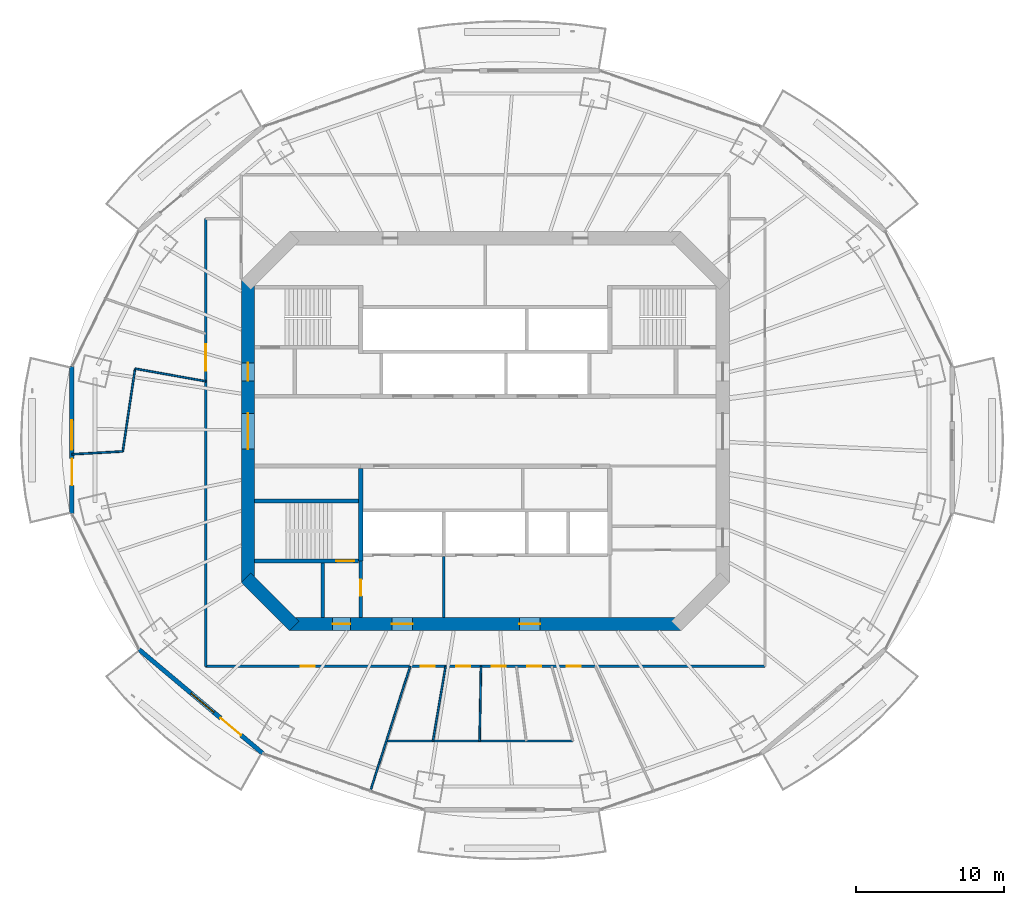
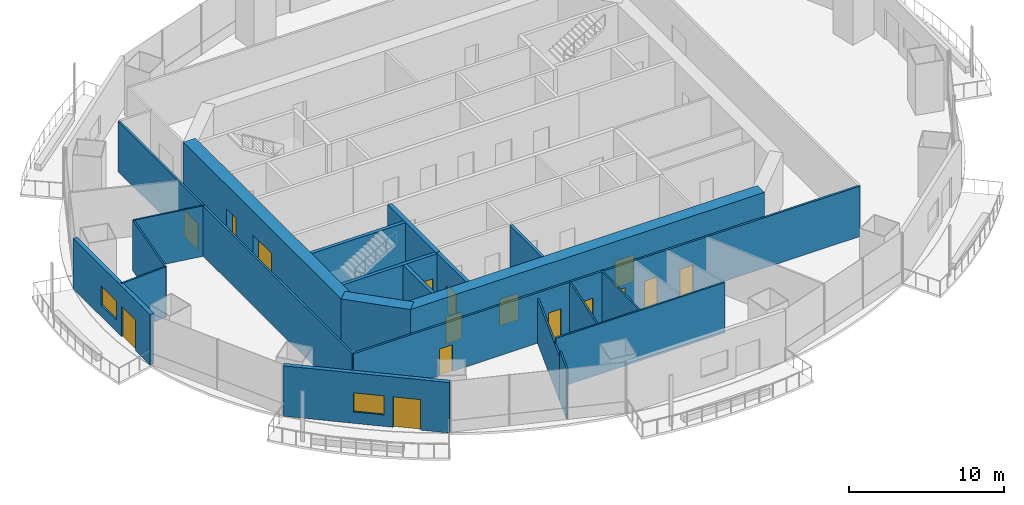
# One storey, part 10 of 19: 21 walls, 16 doors, 2 windows, 18 openings.
"""IFC4 building model written with IfcOpenShell, lengths in metres."""

import ifcopenshell
import ifcopenshell.guid

model = None  # the IFC model being written
_history = None  # IfcOwnerHistory: only IFC2X3 demands one
_inside = {}  # id of a spatial element -> (the spatial element, [elements in it])
_under = {}  # id of a project, library or spatial element -> (it, [spatial elements below it])
_declared = {}  # id of a project -> (the project, [libraries it declares])
_typed = {}  # id of a type object -> (the type object, [elements of that type])
_made_of = {}  # id of a material, layer set ... -> (it, [elements and type objects made of it])


def new_model(schema):
    """Start an empty IFC model of exactly this schema.

    Asked for "IFC4X3", IfcOpenShell would pick the latest addendum, in which some entities
    have other attributes; the version numbers below select the first issue.
    IFC2X3 requires an IfcOwnerHistory on every rooted entity: one is made here for all.
    """
    global model, _history
    if schema == "IFC4X3":
        model = ifcopenshell.file(schema_version=(4, 3, 0, 0))
    else:
        model = ifcopenshell.file(schema=schema)
    _inside.clear()
    _under.clear()
    _declared.clear()
    _typed.clear()
    _made_of.clear()
    _history = None
    if model.schema == "IFC2X3":
        org = make("IfcOrganization", Name="unknown")
        user = make(
            "IfcPersonAndOrganization",
            ThePerson=make("IfcPerson", FamilyName="unknown"),
            TheOrganization=org,
        )
        app = make(
            "IfcApplication",
            ApplicationDeveloper=org,
            Version="unknown",
            ApplicationFullName="unknown",
            ApplicationIdentifier="unknown",
        )
        _history = make(
            "IfcOwnerHistory",
            OwningUser=user,
            OwningApplication=app,
            ChangeAction="ADDED",
            CreationDate=0,
        )
    return model


def make(cls, **values):
    """One entity of the class cls with the attributes given. An attribute that is None is left unset."""
    return model.create_entity(
        cls, **{name: value for name, value in values.items() if value is not None}
    )


def rooted(cls, **values):
    """An entity with a GlobalId (a new one), such as an element, a storey or a relation."""
    return make(cls, GlobalId=ifcopenshell.guid.new(), OwnerHistory=_history, **values)


def si_unit(unit_type, name, prefix=None):
    """IfcSIUnit, for example si_unit("LENGTHUNIT", "METRE", prefix="MILLI")."""
    return make("IfcSIUnit", UnitType=unit_type, Prefix=prefix, Name=name)


def assignment(units):
    """IfcUnitAssignment: the units of a project."""
    return None if units is None else make("IfcUnitAssignment", Units=units)


def point(xyz):
    """IfcCartesianPoint."""
    return None if xyz is None else make("IfcCartesianPoint", Coordinates=xyz)


def direction(xyz):
    """IfcDirection."""
    return None if xyz is None else make("IfcDirection", DirectionRatios=xyz)


def frame(location, z_axis=None, x_axis=None):
    """IfcAxis2Placement3D, a coordinate frame: its origin and axes. An axis left out is left unset."""
    return make(
        "IfcAxis2Placement3D",
        Location=point(location),
        Axis=direction(z_axis),
        RefDirection=direction(x_axis),
    )


def frame_2d(location, x_axis=None):
    """IfcAxis2Placement2D, a coordinate frame in the plane: its origin and x axis."""
    return make(
        "IfcAxis2Placement2D", Location=point(location), RefDirection=direction(x_axis)
    )


def origin():
    """The frame at (0, 0, 0) with its axes left unset."""
    return frame((0.0, 0.0, 0.0))


def place(relative_to, where):
    """IfcLocalPlacement: puts the frame where relative to a parent placement (None: the world)."""
    return make(
        "IfcLocalPlacement", PlacementRelTo=relative_to, RelativePlacement=where
    )


def context(
    kind, dimensions, precision=None, world=None, true_north=None, identifier=None
):
    """IfcGeometricRepresentationContext, for example the 3D "Model" context."""
    return make(
        "IfcGeometricRepresentationContext",
        ContextIdentifier=identifier,
        ContextType=kind,
        CoordinateSpaceDimension=dimensions,
        Precision=precision,
        WorldCoordinateSystem=world,
        TrueNorth=true_north,
    )


def subcontext(parent, identifier, kind, view, scale=None):
    """IfcGeometricRepresentationSubContext, for example "Body" below "Model"."""
    return make(
        "IfcGeometricRepresentationSubContext",
        ContextIdentifier=identifier,
        ContextType=kind,
        ParentContext=parent,
        TargetScale=scale,
        TargetView=view,
    )


def project(units=None, contexts=None):
    """IfcProject with its units and contexts."""
    return rooted(
        "IfcProject",
        Name="project",
        RepresentationContexts=contexts,
        UnitsInContext=assignment(units),
    )


def spatial(cls, under=None, at=None, **own):
    """A site, building, storey or space (cls), placed at a placement, below another one or the project."""
    s = rooted(cls, ObjectPlacement=at, **own)
    if under is not None:
        _under.setdefault(under.id(), (under, []))[1].append(s)
    return s


def profile(cls, at=None, kind="AREA", **sizes):
    """A parametric profile (cls). Its sizes go by their IFC names, for example OverallWidth=200.0."""
    return make(cls, ProfileType=kind, Position=at, **sizes)


def rectangle(**sizes):
    """IfcRectangleProfileDef."""
    return profile("IfcRectangleProfileDef", **sizes)


def extrude(swept, where, along, depth):
    """IfcExtrudedAreaSolid: the profile swept, set in the frame where, extruded along a direction by depth."""
    return make(
        "IfcExtrudedAreaSolid",
        SweptArea=swept,
        Position=where,
        ExtrudedDirection=direction(along),
        Depth=depth,
    )


def shape(context_of_items, identifier, shape_type, items):
    """IfcShapeRepresentation: the items that make up one representation, for example the "Body"."""
    return make(
        "IfcShapeRepresentation",
        ContextOfItems=context_of_items,
        RepresentationIdentifier=identifier,
        RepresentationType=shape_type,
        Items=items,
    )


def material(Name=None, Category=None):
    """IfcMaterial."""
    return make("IfcMaterial", Name=Name, Category=Category)


def layer(
    of_material, thickness, ventilated=None, Name=None, Category=None, Priority=None
):
    """IfcMaterialLayer: one layer of a wall or slab, of a material (None: an air gap)."""
    return make(
        "IfcMaterialLayer",
        Material=of_material,
        LayerThickness=thickness,
        IsVentilated=ventilated,
        Name=Name,
        Category=Category,
        Priority=Priority,
    )


def layer_set(layers, Name=None):
    """IfcMaterialLayerSet."""
    return make("IfcMaterialLayerSet", MaterialLayers=layers, LayerSetName=Name)


def made_of(thing, what):
    """Note that an element or type object is made of a material, layer set ...; save() writes the relation."""
    if what is not None:
        _made_of.setdefault(what.id(), (what, []))[1].append(thing)
    return thing


def type_object(cls, material=None, **own):
    """A type object (cls), such as IfcWallType, which elements share."""
    return made_of(rooted(cls, **own), material)


def element(
    cls,
    number,
    at=None,
    inside=None,
    cuts=None,
    type_object=None,
    material=None,
    context=None,
    identifier="Body",
    shape_type=None,
    held_by="IfcProductDefinitionShape",
    body=None,
    shapes=None,
    **own,
):
    """One element of the class cls, such as IfcWall. Its Tag is "e" and its number.

    at: its placement. inside: the storey or other place that contains it. cuts: it is an
    opening in that element (IfcRelVoidsElement). A single representation is given by context,
    identifier, shape_type and body (its items); several are given by shapes. held_by: the class
    of the entity that holds the representations. save() writes the other relations.
    """
    e = rooted(cls, Tag="e%d" % number, ObjectPlacement=at, **own)
    if body is not None:
        shapes = [shape(context, identifier, shape_type, body)]
    if shapes is not None:
        e.Representation = make(held_by, Representations=shapes)
    if inside is not None:
        _inside.setdefault(inside.id(), (inside, []))[1].append(e)
    if cuts is not None:
        rooted(
            "IfcRelVoidsElement", RelatingBuildingElement=cuts, RelatedOpeningElement=e
        )
    if type_object is not None:
        _typed.setdefault(type_object.id(), (type_object, []))[1].append(e)
    return made_of(e, material)


def fill(opening, filler):
    """IfcRelFillsElement: the door or window that sits in an opening."""
    return rooted(
        "IfcRelFillsElement",
        RelatingOpeningElement=opening,
        RelatedBuildingElement=filler,
    )


def aggregate(whole, parts):
    """IfcRelAggregates: a whole, such as a stair, and the parts it consists of."""
    return rooted("IfcRelAggregates", RelatingObject=whole, RelatedObjects=parts)


def save(model, path):
    """Write the relations noted so far, then the file.

    IfcRelAggregates (storeys below a building ...), IfcRelContainedInSpatialStructure (elements
    in a storey), IfcRelDefinesByType, IfcRelAssociatesMaterial and IfcRelDeclares: one each for
    every whole, place, type object, material and project.
    """
    for whole, parts in _under.values():
        aggregate(whole, parts)
    for where, things in _inside.values():
        rooted(
            "IfcRelContainedInSpatialStructure",
            RelatedElements=things,
            RelatingStructure=where,
        )
    for kind, things in _typed.values():
        rooted("IfcRelDefinesByType", RelatedObjects=things, RelatingType=kind)
    for what, things in _made_of.values():
        rooted("IfcRelAssociatesMaterial", RelatedObjects=things, RelatingMaterial=what)
    for by, libraries in _declared.values():
        rooted("IfcRelDeclares", RelatingContext=by, RelatedDefinitions=libraries)
    model.write(path)


model = new_model("IFC4")

# Units and contexts
model_context = context("Model", 3, precision=1e-05, world=origin(), true_north=direction((0.0, 1.0)))
body_context = subcontext(model_context, "Body", "Model", "MODEL_VIEW")
ifc_project = project(units=[si_unit("LENGTHUNIT", "METRE"), si_unit("AREAUNIT", "SQUARE_METRE"), si_unit("VOLUMEUNIT", "CUBIC_METRE"), si_unit("PLANEANGLEUNIT", "RADIAN"), si_unit("MASSUNIT", "GRAM", prefix="KILO")], contexts=[model_context])

# Site, building, storey
site_placement = place(None, origin())
site = spatial("IfcSite", under=ifc_project, at=site_placement, CompositionType="ELEMENT")
building_placement = place(site_placement, origin())
building = spatial("IfcBuilding", under=site, at=building_placement, Name="Marenthal Gate Tower", CompositionType="ELEMENT")
storey_placement = place(building_placement, frame((0.0, 0.0, 244.050048828125)))
storey = spatial("IfcBuildingStorey", under=building, at=storey_placement, Name="L54", CompositionType="ELEMENT", Elevation=244.050048828125)

# Wall, openings, doors
ifc_material_1 = material(Name="Concrete 60 MPa", Category="concrete")
ifc_layer_1 = layer(ifc_material_1, 0.89990234375)
ifc_layer_set_1 = layer_set([ifc_layer_1], Name="Core shear wall 900")
wall_type_1 = type_object("IfcWallType", Name="Core shear wall 900", PredefinedType="SHEAR", material=ifc_layer_set_1)
wall_1_placement = place(storey_placement, frame((-16.0, 10.186279296875, -0.179931640625), z_axis=(0.0, 0.0, 1.0), x_axis=(0.0, -1.0, 0.0)))
wall_1 = element("IfcWall", 1, at=wall_1_placement, inside=storey, type_object=wall_type_1, Name="Core wall 06", PredefinedType="SHEAR", context=body_context, shape_type="SweptSolid", body=[
    extrude(rectangle(XDim=20.37255859375, YDim=0.89990234375, at=frame_2d((10.186279296875, 0.0))), origin(), (0.0, 0.0, 1.0), 4.14990234375),
])
opening_1_placement = place(wall_1_placement, frame((8.986328125, 0.0, 0.179931640625)))
opening_1 = element("IfcOpeningElement", 2, at=opening_1_placement, cuts=wall_1, Name="Opening D003.01", PredefinedType="OPENING", context=body_context, shape_type="SweptSolid", body=[
    extrude(rectangle(XDim=2.39990234375, YDim=2.10009765625, at=frame_2d((1.199951171875, 1.050048828125))), frame((0.0, 0.4599609375, 0.0), z_axis=(0.0, -1.0, 0.0), x_axis=(1.0, 0.0, 0.0)), (0.0, 0.0, 1.0), 0.919921875),
])
opening_2_placement = place(wall_1_placement, frame((5.58642578125, 0.0, 0.179931640625)))
opening_2 = element("IfcOpeningElement", 3, at=opening_2_placement, cuts=wall_1, Name="Opening D001.04", PredefinedType="OPENING", context=body_context, shape_type="SweptSolid", body=[
    extrude(rectangle(XDim=1.199951171875, YDim=2.10009765625, at=frame_2d((0.60009765625, 1.050048828125))), frame((0.0, 0.4599609375, 0.0), z_axis=(0.0, -1.0, 0.0), x_axis=(1.0, 0.0, 0.0)), (0.0, 0.0, 1.0), 0.919921875),
])
ifc_material_2 = material(Name="Steel fire door", Category="steel")
door_type_1 = type_object("IfcDoorType", Name="Double fire door FD 45 2400 x 2100", OperationType="DOUBLE_DOOR_SINGLE_SWING", PredefinedType="DOOR", material=ifc_material_2)
door_1_placement = place(opening_1_placement, origin())
door_1 = element("IfcDoor", 4, at=door_1_placement, inside=storey, type_object=door_type_1, Name="Door D003.01", OperationType="DOUBLE_DOOR_SINGLE_SWING", OverallHeight=2.10009765625, OverallWidth=2.39990234375, PredefinedType="DOOR", context=body_context, shape_type="SweptSolid", body=[
    extrude(rectangle(XDim=2.39990234375, YDim=2.10009765625, at=frame_2d((1.199951171875, 1.050048828125))), frame((0.0, 0.02490234375, 0.0), z_axis=(0.0, -1.0, 0.0), x_axis=(1.0, 0.0, 0.0)), (0.0, 0.0, 1.0), 0.050048828125),
])
fill(opening_1, door_1)
ifc_material_3 = material(Name="Steel fire door", Category="steel")
door_type_2 = type_object("IfcDoorType", Name="Fire door FD 90 1200 x 2100", OperationType="NOTDEFINED", PredefinedType="DOOR", material=ifc_material_3)
door_2_placement = place(opening_2_placement, origin())
door_2 = element("IfcDoor", 5, at=door_2_placement, inside=storey, type_object=door_type_2, Name="Door D001.04", OperationType="SINGLE_SWING_RIGHT", OverallHeight=2.10009765625, OverallWidth=1.199951171875, PredefinedType="DOOR", context=body_context, shape_type="SweptSolid", body=[
    extrude(rectangle(XDim=1.199951171875, YDim=2.10009765625, at=frame_2d((0.60009765625, 1.050048828125))), frame((0.0, 0.02490234375, 0.0), z_axis=(0.0, -1.0, 0.0), x_axis=(1.0, 0.0, 0.0)), (0.0, 0.0, 1.0), 0.050048828125),
])
fill(opening_2, door_2)

# Wall
wall_2_placement = place(storey_placement, frame((-16.1318359375, -9.8681640625, -0.179931640625), z_axis=(0.0, 0.0, 1.0), x_axis=(0.707106781187, -0.707106781187, 0.0)))
element("IfcWall", 6, at=wall_2_placement, inside=storey, type_object=wall_type_1, Name="Core wall 07", PredefinedType="SHEAR", context=body_context, shape_type="SweptSolid", body=[
    extrude(rectangle(XDim=4.615478515625, YDim=0.89990234375, at=frame_2d((2.3076171875, 0.0))), origin(), (0.0, 0.0, 1.0), 4.14990234375),
])

# Wall, openings, doors
wall_3_placement = place(storey_placement, frame((-13.186279296875, -13.0, -0.179931640625), z_axis=(0.0, 0.0, 1.0), x_axis=(1.0, 0.0, 0.0)))
wall_3 = element("IfcWall", 7, at=wall_3_placement, inside=storey, type_object=wall_type_1, Name="Core wall 08", PredefinedType="SHEAR", context=body_context, shape_type="SweptSolid", body=[
    extrude(rectangle(XDim=26.37255859375, YDim=0.89990234375, at=frame_2d((13.186279296875, 0.0))), origin(), (0.0, 0.0, 1.0), 4.14990234375),
])
opening_3_placement = place(wall_3_placement, frame((2.886474609375, 0.0, 0.179931640625)))
opening_3 = element("IfcOpeningElement", 8, at=opening_3_placement, cuts=wall_3, Name="Opening D001.06", PredefinedType="OPENING", context=body_context, shape_type="SweptSolid", body=[
    extrude(rectangle(XDim=1.199951171875, YDim=2.10009765625, at=frame_2d((0.60009765625, 1.050048828125))), frame((0.0, 0.4599609375, 0.0), z_axis=(0.0, -1.0, 0.0), x_axis=(1.0, 0.0, 0.0)), (0.0, 0.0, 1.0), 0.919921875),
])
opening_4_placement = place(wall_3_placement, frame((6.886474609375, 0.0, 0.179931640625)))
opening_4 = element("IfcOpeningElement", 9, at=opening_4_placement, cuts=wall_3, Name="Opening D004.01", PredefinedType="OPENING", context=body_context, shape_type="SweptSolid", body=[
    extrude(rectangle(XDim=1.39990234375, YDim=2.10009765625, at=frame_2d((0.699951171875, 1.050048828125))), frame((0.0, 0.4599609375, 0.0), z_axis=(0.0, -1.0, 0.0), x_axis=(1.0, 0.0, 0.0)), (0.0, 0.0, 1.0), 0.919921875),
])
opening_5_placement = place(wall_3_placement, frame((15.486328125, 0.0, 0.179931640625)))
opening_5 = element("IfcOpeningElement", 10, at=opening_5_placement, cuts=wall_3, Name="Opening D004.02", PredefinedType="OPENING", context=body_context, shape_type="SweptSolid", body=[
    extrude(rectangle(XDim=1.39990234375, YDim=2.10009765625, at=frame_2d((0.699951171875, 1.050048828125))), frame((0.0, 0.4599609375, 0.0), z_axis=(0.0, -1.0, 0.0), x_axis=(1.0, 0.0, 0.0)), (0.0, 0.0, 1.0), 0.919921875),
])
ifc_material_4 = material(Name="Steel fire door", Category="steel")
door_type_3 = type_object("IfcDoorType", Name="Fire door FD 45 1400 x 2100", OperationType="NOTDEFINED", PredefinedType="DOOR", material=ifc_material_4)
door_3_placement = place(opening_4_placement, origin())
door_3 = element("IfcDoor", 11, at=door_3_placement, inside=storey, type_object=door_type_3, Name="Door D004.01", OperationType="SINGLE_SWING_RIGHT", OverallHeight=2.10009765625, OverallWidth=1.39990234375, PredefinedType="DOOR", context=body_context, shape_type="SweptSolid", body=[
    extrude(rectangle(XDim=1.39990234375, YDim=2.10009765625, at=frame_2d((0.699951171875, 1.050048828125))), frame((0.0, 0.02490234375, 0.0), z_axis=(0.0, -1.0, 0.0), x_axis=(1.0, 0.0, 0.0)), (0.0, 0.0, 1.0), 0.050048828125),
])
fill(opening_4, door_3)
door_4_placement = place(opening_5_placement, origin())
door_4 = element("IfcDoor", 12, at=door_4_placement, inside=storey, type_object=door_type_3, Name="Door D004.02", OperationType="SINGLE_SWING_RIGHT", OverallHeight=2.10009765625, OverallWidth=1.39990234375, PredefinedType="DOOR", context=body_context, shape_type="SweptSolid", body=[
    extrude(rectangle(XDim=1.39990234375, YDim=2.10009765625, at=frame_2d((0.699951171875, 1.050048828125))), frame((0.0, 0.02490234375, 0.0), z_axis=(0.0, -1.0, 0.0), x_axis=(1.0, 0.0, 0.0)), (0.0, 0.0, 1.0), 0.050048828125),
])
fill(opening_5, door_4)
door_5_placement = place(opening_3_placement, origin())
door_5 = element("IfcDoor", 13, at=door_5_placement, inside=storey, type_object=door_type_2, Name="Door D001.06", OperationType="SINGLE_SWING_RIGHT", OverallHeight=2.10009765625, OverallWidth=1.199951171875, PredefinedType="DOOR", context=body_context, shape_type="SweptSolid", body=[
    extrude(rectangle(XDim=1.199951171875, YDim=2.10009765625, at=frame_2d((0.60009765625, 1.050048828125))), frame((0.0, 0.02490234375, 0.0), z_axis=(0.0, -1.0, 0.0), x_axis=(1.0, 0.0, 0.0)), (0.0, 0.0, 1.0), 0.050048828125),
])
fill(opening_3, door_5)

# Walls
ifc_material_5 = material(Name="Gypsum board on steel studs", Category="steel")
ifc_layer_2 = layer(ifc_material_5, 0.199951171875)
ifc_layer_set_2 = layer_set([ifc_layer_2], Name="Fire lobby wall 200")
wall_type_2 = type_object("IfcWallType", Name="Fire lobby wall 200", PredefinedType="PARTITIONING", material=ifc_layer_set_2)
wall_4_placement = place(storey_placement, frame((-2.800048828125, -12.550048828125, 0.0), z_axis=(0.0, 0.0, 1.0), x_axis=(0.0, 1.0, 0.0)))
element("IfcWall", 14, at=wall_4_placement, inside=storey, type_object=wall_type_2, Name="Fire wall 35", PredefinedType="PARTITIONING", context=body_context, shape_type="SweptSolid", body=[
    extrude(rectangle(XDim=4.090087890625, YDim=0.199951171875, at=frame_2d((2.044921875, 0.0))), origin(), (0.0, 0.0, 1.0), 3.969970703125),
])
ifc_material_6 = material(Name="Concrete 50 MPa", Category="concrete")
ifc_layer_3 = layer(ifc_material_6, 0.300048828125)
ifc_layer_set_3 = layer_set([ifc_layer_3], Name="Hoistway shear wall 300")
wall_type_3 = type_object("IfcWallType", Name="Hoistway shear wall 300", PredefinedType="SHEAR", material=ifc_layer_set_3)
wall_5_placement = place(storey_placement, frame((-8.39990234375, -8.75, -0.179931640625), z_axis=(0.0, 0.0, 1.0), x_axis=(0.0, 1.0, 0.0)))
element("IfcWall", 15, at=wall_5_placement, inside=storey, type_object=wall_type_3, Name="Hoistway wall 31", PredefinedType="SHEAR", context=body_context, shape_type="SweptSolid", body=[
    extrude(rectangle(XDim=6.25, YDim=0.300048828125, at=frame_2d((3.125, 0.0))), origin(), (0.0, 0.0, 1.0), 4.14990234375),
])
ifc_material_7 = material(Name="Gypsum board on steel studs", Category="steel")
ifc_layer_4 = layer(ifc_material_7, 0.1201171875)
ifc_layer_set_4 = layer_set([ifc_layer_4], Name="Partition 120")
wall_type_4 = type_object("IfcWallType", Name="Partition 120", PredefinedType="PARTITIONING", material=ifc_layer_set_4)
wall_6_placement = place(storey_placement, frame((-24.438720703125, -1.364013671875, 0.0), z_axis=(0.0, 0.0, 1.0), x_axis=(-0.998446307291, -0.055722270749, 0.0)))
element("IfcWall", 16, at=wall_6_placement, inside=storey, type_object=wall_type_4, Name="Partition wall 49", PredefinedType="PARTITIONING", context=body_context, shape_type="SweptSolid", body=[
    extrude(rectangle(XDim=3.4306640625, YDim=0.1201171875, at=frame_2d((1.71533203125, 0.0))), origin(), (0.0, 0.0, 1.0), 3.969970703125),
])
wall_7_placement = place(storey_placement, frame((-23.607666015625, 4.216552734375, 0.0), z_axis=(0.0, 0.0, 1.0), x_axis=(-0.14729509075, -0.98909259235, 0.0)))
element("IfcWall", 17, at=wall_7_placement, inside=storey, type_object=wall_type_4, Name="Partition wall 50", PredefinedType="PARTITIONING", context=body_context, shape_type="SweptSolid", body=[
    extrude(rectangle(XDim=5.64208984375, YDim=0.1201171875, at=frame_2d((2.821044921875, 0.0))), origin(), (0.0, 0.0, 1.0), 3.969970703125),
])
wall_8_placement = place(storey_placement, frame((-23.607666015625, 4.216552734375, 0.0), z_axis=(0.0, 0.0, 1.0), x_axis=(0.984417270676, -0.175848335774, 0.0)))
element("IfcWall", 18, at=wall_8_placement, inside=storey, type_object=wall_type_4, Name="Partition wall 51", PredefinedType="PARTITIONING", context=body_context, shape_type="SweptSolid", body=[
    extrude(rectangle(XDim=4.832763671875, YDim=0.1201171875, at=frame_2d((2.41650390625, 0.0))), origin(), (0.0, 0.0, 1.0), 3.969970703125),
])
wall_9_placement = place(storey_placement, frame((-6.671630859375, -20.88623046875, 0.0), z_axis=(0.0, 0.0, 1.0), x_axis=(1.0, 0.0, 0.0)))
element("IfcWall", 19, at=wall_9_placement, inside=storey, type_object=wall_type_4, Name="Partition wall 57", PredefinedType="PARTITIONING", context=body_context, shape_type="SweptSolid", body=[
    extrude(rectangle(XDim=12.576416015625, YDim=0.1201171875, at=frame_2d((6.2880859375, 0.0))), origin(), (0.0, 0.0, 1.0), 3.969970703125),
])
wall_10_placement = place(storey_placement, frame((-5.06298828125, -15.85009765625, 0.0), z_axis=(0.0, 0.0, 1.0), x_axis=(-0.304288835674, -0.952579815283, 0.0)))
element("IfcWall", 20, at=wall_10_placement, inside=storey, type_object=wall_type_4, Name="Partition wall 58", PredefinedType="PARTITIONING", context=body_context, shape_type="SweptSolid", body=[
    extrude(rectangle(XDim=6.786865234375, YDim=0.1201171875, at=frame_2d((3.3935546875, 0.0))), origin(), (0.0, 0.0, 1.0), 3.5029296875),
])
wall_11_placement = place(storey_placement, frame((-7.128173828125, -22.315185546875, 0.0), z_axis=(0.0, 0.0, 1.0), x_axis=(-0.304263718902, -0.952587838133, 0.0)))
element("IfcWall", 21, at=wall_11_placement, inside=storey, type_object=wall_type_4, Name="Partition wall 68", PredefinedType="PARTITIONING", context=body_context, shape_type="SweptSolid", body=[
    extrude(rectangle(XDim=2.0244140625, YDim=0.1201171875, at=frame_2d((1.01220703125, 0.0))), origin(), (0.0, 0.0, 1.0), 3.969970703125),
])
wall_12_placement = place(storey_placement, frame((-3.527587890625, -20.88623046875, 0.0), z_axis=(0.0, 0.0, 1.0), x_axis=(0.166538009688, 0.986035035548, 0.0)))
element("IfcWall", 22, at=wall_12_placement, inside=storey, type_object=wall_type_4, Name="Partition wall 59", PredefinedType="PARTITIONING", context=body_context, shape_type="SweptSolid", body=[
    extrude(rectangle(XDim=5.107421875, YDim=0.1201171875, at=frame_2d((2.5537109375, 0.0))), origin(), (0.0, 0.0, 1.0), 3.969970703125),
])
wall_13_placement = place(storey_placement, frame((-0.383544921875, -20.88623046875, 0.0), z_axis=(0.0, 0.0, 1.0), x_axis=(0.018369984808, 0.999831257592, 0.0)))
element("IfcWall", 23, at=wall_13_placement, inside=storey, type_object=wall_type_4, Name="Partition wall 60", PredefinedType="PARTITIONING", context=body_context, shape_type="SweptSolid", body=[
    extrude(rectangle(XDim=5.036865234375, YDim=0.1201171875, at=frame_2d((2.5185546875, 0.0))), origin(), (0.0, 0.0, 1.0), 3.969970703125),
])

# Wall, opening, door
ifc_material_8 = material(Name="Gypsum board on steel studs", Category="steel")
ifc_layer_5 = layer(ifc_material_8, 0.14990234375)
ifc_layer_set_5 = layer_set([ifc_layer_5], Name="Partition 150")
wall_type_5 = type_object("IfcWallType", Name="Partition 150", PredefinedType="PARTITIONING", material=ifc_layer_set_5)
wall_14_placement = place(storey_placement, frame((-18.85009765625, -15.85009765625, 0.0), z_axis=(0.0, 0.0, 1.0), x_axis=(0.0, 1.0, 0.0)))
wall_14 = element("IfcWall", 24, at=wall_14_placement, inside=storey, type_object=wall_type_5, Name="Partition wall 52", PredefinedType="PARTITIONING", context=body_context, shape_type="SweptSolid", body=[
    extrude(rectangle(XDim=30.176025390625, YDim=0.14990234375, at=frame_2d((15.087890625, 0.0))), origin(), (0.0, 0.0, 1.0), 3.969970703125),
])
opening_6_placement = place(wall_14_placement, frame((19.9208984375, 0.0, 0.0)))
opening_6 = element("IfcOpeningElement", 25, at=opening_6_placement, cuts=wall_14, Name="Opening D014.01", PredefinedType="OPENING", context=body_context, shape_type="SweptSolid", body=[
    extrude(rectangle(XDim=1.800048828125, YDim=2.10009765625, at=frame_2d((0.89990234375, 1.050048828125))), frame((0.0, 0.0849609375, 0.0), z_axis=(0.0, -1.0, 0.0), x_axis=(1.0, 0.0, 0.0)), (0.0, 0.0, 1.0), 0.169921875),
])
ifc_material_9 = material(Name="Timber door", Category="wood")
door_type_4 = type_object("IfcDoorType", Name="Double door 1800 x 2100", OperationType="DOUBLE_DOOR_SINGLE_SWING", PredefinedType="DOOR", material=ifc_material_9)
door_6_placement = place(opening_6_placement, origin())
door_6 = element("IfcDoor", 26, at=door_6_placement, inside=storey, type_object=door_type_4, Name="Door D014.01", OperationType="DOUBLE_DOOR_SINGLE_SWING", OverallHeight=2.10009765625, OverallWidth=1.800048828125, PredefinedType="DOOR", context=body_context, shape_type="SweptSolid", body=[
    extrude(rectangle(XDim=1.800048828125, YDim=2.10009765625, at=frame_2d((0.89990234375, 1.050048828125))), frame((0.0, 0.02490234375, 0.0), z_axis=(0.0, -1.0, 0.0), x_axis=(1.0, 0.0, 0.0)), (0.0, 0.0, 1.0), 0.050048828125),
])
fill(opening_6, door_6)

# Wall, openings, doors
wall_15_placement = place(storey_placement, frame((18.85009765625, -15.85009765625, 0.0), z_axis=(0.0, 0.0, 1.0), x_axis=(-1.0, 0.0, 0.0)))
wall_15 = element("IfcWall", 27, at=wall_15_placement, inside=storey, type_object=wall_type_5, Name="Partition wall 66", PredefinedType="PARTITIONING", context=body_context, shape_type="SweptSolid", body=[
    extrude(rectangle(XDim=37.7001953125, YDim=0.14990234375, at=frame_2d((18.85009765625, 0.0))), origin(), (0.0, 0.0, 1.0), 3.969970703125),
])
opening_7_placement = place(wall_15_placement, frame((30.33203125, 0.0, 0.0)))
opening_7 = element("IfcOpeningElement", 28, at=opening_7_placement, cuts=wall_15, Name="Opening D016.01", PredefinedType="OPENING", context=body_context, shape_type="SweptSolid", body=[
    extrude(rectangle(XDim=0.949951171875, YDim=2.10009765625, at=frame_2d((0.47509765625, 1.050048828125))), frame((0.0, 0.0849609375, 0.0), z_axis=(0.0, -1.0, 0.0), x_axis=(1.0, 0.0, 0.0)), (0.0, 0.0, 1.0), 0.169921875),
])
opening_8_placement = place(wall_15_placement, frame((22.2451171875, 0.0, 0.0)))
opening_8 = element("IfcOpeningElement", 29, at=opening_8_placement, cuts=wall_15, Name="Opening D016.02", PredefinedType="OPENING", context=body_context, shape_type="SweptSolid", body=[
    extrude(rectangle(XDim=0.949951171875, YDim=2.10009765625, at=frame_2d((0.47509765625, 1.050048828125))), frame((0.0, 0.0849609375, 0.0), z_axis=(0.0, -1.0, 0.0), x_axis=(1.0, 0.0, 0.0)), (0.0, 0.0, 1.0), 0.169921875),
])
opening_9_placement = place(wall_15_placement, frame((19.85888671875, 0.0, 0.0)))
opening_9 = element("IfcOpeningElement", 30, at=opening_9_placement, cuts=wall_15, Name="Opening D016.03", PredefinedType="OPENING", context=body_context, shape_type="SweptSolid", body=[
    extrude(rectangle(XDim=0.949951171875, YDim=2.10009765625, at=frame_2d((0.47509765625, 1.050048828125))), frame((0.0, 0.0849609375, 0.0), z_axis=(0.0, -1.0, 0.0), x_axis=(1.0, 0.0, 0.0)), (0.0, 0.0, 1.0), 0.169921875),
])
opening_10_placement = place(wall_15_placement, frame((17.472900390625, 0.0, 0.0)))
opening_10 = element("IfcOpeningElement", 31, at=opening_10_placement, cuts=wall_15, Name="Opening D016.04", PredefinedType="OPENING", context=body_context, shape_type="SweptSolid", body=[
    extrude(rectangle(XDim=0.949951171875, YDim=2.10009765625, at=frame_2d((0.47509765625, 1.050048828125))), frame((0.0, 0.0849609375, 0.0), z_axis=(0.0, -1.0, 0.0), x_axis=(1.0, 0.0, 0.0)), (0.0, 0.0, 1.0), 0.169921875),
])
opening_11_placement = place(wall_15_placement, frame((15.0869140625, 0.0, 0.0)))
opening_11 = element("IfcOpeningElement", 32, at=opening_11_placement, cuts=wall_15, Name="Opening D016.05", PredefinedType="OPENING", context=body_context, shape_type="SweptSolid", body=[
    extrude(rectangle(XDim=0.949951171875, YDim=2.10009765625, at=frame_2d((0.47509765625, 1.050048828125))), frame((0.0, 0.0849609375, 0.0), z_axis=(0.0, -1.0, 0.0), x_axis=(1.0, 0.0, 0.0)), (0.0, 0.0, 1.0), 0.169921875),
])
opening_12_placement = place(wall_15_placement, frame((12.426025390625, 0.0, 0.0)))
opening_12 = element("IfcOpeningElement", 33, at=opening_12_placement, cuts=wall_15, Name="Opening D016.06", PredefinedType="OPENING", context=body_context, shape_type="SweptSolid", body=[
    extrude(rectangle(XDim=0.949951171875, YDim=2.10009765625, at=frame_2d((0.47509765625, 1.050048828125))), frame((0.0, 0.0849609375, 0.0), z_axis=(0.0, -1.0, 0.0), x_axis=(1.0, 0.0, 0.0)), (0.0, 0.0, 1.0), 0.169921875),
])
ifc_material_10 = material(Name="Timber door", Category="wood")
door_type_5 = type_object("IfcDoorType", Name="Door 950 x 2100", OperationType="NOTDEFINED", PredefinedType="DOOR", material=ifc_material_10)
door_7_placement = place(opening_7_placement, frame((0.949951171875, 0.0, 0.0), z_axis=(0.0, 0.0, 1.0), x_axis=(-1.0, 0.0, 0.0)))
door_7 = element("IfcDoor", 34, at=door_7_placement, inside=storey, type_object=door_type_5, Name="Door D016.01", OperationType="SINGLE_SWING_LEFT", OverallHeight=2.10009765625, OverallWidth=0.949951171875, PredefinedType="DOOR", context=body_context, shape_type="SweptSolid", body=[
    extrude(rectangle(XDim=0.949951171875, YDim=2.10009765625, at=frame_2d((0.47509765625, 1.050048828125))), frame((0.0, 0.02490234375, 0.0), z_axis=(0.0, -1.0, 0.0), x_axis=(1.0, 0.0, 0.0)), (0.0, 0.0, 1.0), 0.050048828125),
])
fill(opening_7, door_7)
door_8_placement = place(opening_8_placement, origin())
door_8 = element("IfcDoor", 35, at=door_8_placement, inside=storey, type_object=door_type_5, Name="Door D016.02", OperationType="SINGLE_SWING_RIGHT", OverallHeight=2.10009765625, OverallWidth=0.949951171875, PredefinedType="DOOR", context=body_context, shape_type="SweptSolid", body=[
    extrude(rectangle(XDim=0.949951171875, YDim=2.10009765625, at=frame_2d((0.47509765625, 1.050048828125))), frame((0.0, 0.02490234375, 0.0), z_axis=(0.0, -1.0, 0.0), x_axis=(1.0, 0.0, 0.0)), (0.0, 0.0, 1.0), 0.050048828125),
])
fill(opening_8, door_8)
door_9_placement = place(opening_9_placement, origin())
door_9 = element("IfcDoor", 36, at=door_9_placement, inside=storey, type_object=door_type_5, Name="Door D016.03", OperationType="SINGLE_SWING_RIGHT", OverallHeight=2.10009765625, OverallWidth=0.949951171875, PredefinedType="DOOR", context=body_context, shape_type="SweptSolid", body=[
    extrude(rectangle(XDim=0.949951171875, YDim=2.10009765625, at=frame_2d((0.47509765625, 1.050048828125))), frame((0.0, 0.02490234375, 0.0), z_axis=(0.0, -1.0, 0.0), x_axis=(1.0, 0.0, 0.0)), (0.0, 0.0, 1.0), 0.050048828125),
])
fill(opening_9, door_9)
door_10_placement = place(opening_10_placement, origin())
door_10 = element("IfcDoor", 37, at=door_10_placement, inside=storey, type_object=door_type_5, Name="Door D016.04", OperationType="SINGLE_SWING_RIGHT", OverallHeight=2.10009765625, OverallWidth=0.949951171875, PredefinedType="DOOR", context=body_context, shape_type="SweptSolid", body=[
    extrude(rectangle(XDim=0.949951171875, YDim=2.10009765625, at=frame_2d((0.47509765625, 1.050048828125))), frame((0.0, 0.02490234375, 0.0), z_axis=(0.0, -1.0, 0.0), x_axis=(1.0, 0.0, 0.0)), (0.0, 0.0, 1.0), 0.050048828125),
])
fill(opening_10, door_10)
door_11_placement = place(opening_11_placement, origin())
door_11 = element("IfcDoor", 38, at=door_11_placement, inside=storey, type_object=door_type_5, Name="Door D016.05", OperationType="SINGLE_SWING_RIGHT", OverallHeight=2.10009765625, OverallWidth=0.949951171875, PredefinedType="DOOR", context=body_context, shape_type="SweptSolid", body=[
    extrude(rectangle(XDim=0.949951171875, YDim=2.10009765625, at=frame_2d((0.47509765625, 1.050048828125))), frame((0.0, 0.02490234375, 0.0), z_axis=(0.0, -1.0, 0.0), x_axis=(1.0, 0.0, 0.0)), (0.0, 0.0, 1.0), 0.050048828125),
])
fill(opening_11, door_11)
door_12_placement = place(opening_12_placement, origin())
door_12 = element("IfcDoor", 39, at=door_12_placement, inside=storey, type_object=door_type_5, Name="Door D016.06", OperationType="SINGLE_SWING_RIGHT", OverallHeight=2.10009765625, OverallWidth=0.949951171875, PredefinedType="DOOR", context=body_context, shape_type="SweptSolid", body=[
    extrude(rectangle(XDim=0.949951171875, YDim=2.10009765625, at=frame_2d((0.47509765625, 1.050048828125))), frame((0.0, 0.02490234375, 0.0), z_axis=(0.0, -1.0, 0.0), x_axis=(1.0, 0.0, 0.0)), (0.0, 0.0, 1.0), 0.050048828125),
])
fill(opening_12, door_12)

# Wall
ifc_material_11 = material(Name="Concrete 40 MPa", Category="concrete")
ifc_layer_6 = layer(ifc_material_11, 0.25)
ifc_layer_set_6 = layer_set([ifc_layer_6], Name="Stair enclosure wall 250")
wall_type_6 = type_object("IfcWallType", Name="Stair enclosure wall 250", PredefinedType="STANDARD", material=ifc_layer_set_6)
wall_16_placement = place(storey_placement, frame((-10.949951171875, -12.550048828125, 0.0), z_axis=(0.0, 0.0, 1.0), x_axis=(0.0, 1.0, 0.0)))
element("IfcWall", 40, at=wall_16_placement, inside=storey, type_object=wall_type_6, Name="Stair wall 29", PredefinedType="STANDARD", context=body_context, shape_type="SweptSolid", body=[
    extrude(rectangle(XDim=3.675048828125, YDim=0.25, at=frame_2d((1.83740234375, 0.0))), origin(), (0.0, 0.0, 1.0), 3.969970703125),
])

# Wall, opening, door
wall_17_placement = place(storey_placement, frame((-8.39990234375, -12.550048828125, 0.0), z_axis=(0.0, 0.0, 1.0), x_axis=(0.0, 1.0, 0.0)))
wall_17 = element("IfcWall", 41, at=wall_17_placement, inside=storey, type_object=wall_type_6, Name="Stair wall 30", PredefinedType="STANDARD", context=body_context, shape_type="SweptSolid", body=[
    extrude(rectangle(XDim=3.800048828125, YDim=0.25, at=frame_2d((1.89990234375, 0.0))), origin(), (0.0, 0.0, 1.0), 3.969970703125),
])
opening_13_placement = place(wall_17_placement, frame((1.449951171875, 0.0, 0.0)))
opening_13 = element("IfcOpeningElement", 42, at=opening_13_placement, cuts=wall_17, Name="Opening D002.01", PredefinedType="OPENING", context=body_context, shape_type="SweptSolid", body=[
    extrude(rectangle(XDim=1.10009765625, YDim=2.10009765625, at=frame_2d((0.550048828125, 1.050048828125))), frame((0.0, 0.135009765625, 0.0), z_axis=(0.0, -1.0, 0.0), x_axis=(1.0, 0.0, 0.0)), (0.0, 0.0, 1.0), 0.27001953125),
])
ifc_material_12 = material(Name="Steel fire door", Category="steel")
door_type_6 = type_object("IfcDoorType", Name="Fire door FD 90 1100 x 2100", OperationType="NOTDEFINED", PredefinedType="DOOR", material=ifc_material_12)
door_13_placement = place(opening_13_placement, origin())
door_13 = element("IfcDoor", 43, at=door_13_placement, inside=storey, type_object=door_type_6, Name="Door D002.01", OperationType="SINGLE_SWING_RIGHT", OverallHeight=2.10009765625, OverallWidth=1.10009765625, PredefinedType="DOOR", context=body_context, shape_type="SweptSolid", body=[
    extrude(rectangle(XDim=1.10009765625, YDim=2.10009765625, at=frame_2d((0.550048828125, 1.050048828125))), frame((0.0, 0.02490234375, 0.0), z_axis=(0.0, -1.0, 0.0), x_axis=(1.0, 0.0, 0.0)), (0.0, 0.0, 1.0), 0.050048828125),
])
fill(opening_13, door_13)

ifc_material_13 = material(Name="Concrete 50 MPa", Category="concrete")
ifc_layer_7 = layer(ifc_material_13, 0.25)
ifc_layer_set_7 = layer_set([ifc_layer_7], Name="Stair shear wall 250")
wall_type_7 = type_object("IfcWallType", Name="Stair shear wall 250", PredefinedType="SHEAR", material=ifc_layer_set_7)
wall_18_placement = place(storey_placement, frame((-15.550048828125, -8.75, -0.179931640625), z_axis=(0.0, 0.0, 1.0), x_axis=(1.0, 0.0, 0.0)))
wall_18 = element("IfcWall", 44, at=wall_18_placement, inside=storey, type_object=wall_type_7, Name="Stair wall 09", PredefinedType="SHEAR", context=body_context, shape_type="SweptSolid", body=[
    extrude(rectangle(XDim=7.0, YDim=0.25, at=frame_2d((3.5, 0.0))), origin(), (0.0, 0.0, 1.0), 4.14990234375),
])
opening_14_placement = place(wall_18_placement, frame((5.5, 0.0, 0.179931640625)))
opening_14 = element("IfcOpeningElement", 45, at=opening_14_placement, cuts=wall_18, Name="Opening D001.03", PredefinedType="OPENING", context=body_context, shape_type="SweptSolid", body=[
    extrude(rectangle(XDim=1.199951171875, YDim=2.10009765625, at=frame_2d((0.60009765625, 1.050048828125))), frame((0.0, 0.135009765625, 0.0), z_axis=(0.0, -1.0, 0.0), x_axis=(1.0, 0.0, 0.0)), (0.0, 0.0, 1.0), 0.27001953125),
])
door_14_placement = place(opening_14_placement, origin())
door_14 = element("IfcDoor", 46, at=door_14_placement, inside=storey, type_object=door_type_2, Name="Door D001.03", OperationType="SINGLE_SWING_RIGHT", OverallHeight=2.10009765625, OverallWidth=1.199951171875, PredefinedType="DOOR", context=body_context, shape_type="SweptSolid", body=[
    extrude(rectangle(XDim=1.199951171875, YDim=2.10009765625, at=frame_2d((0.60009765625, 1.050048828125))), frame((0.0, 0.02490234375, 0.0), z_axis=(0.0, -1.0, 0.0), x_axis=(1.0, 0.0, 0.0)), (0.0, 0.0, 1.0), 0.050048828125),
])
fill(opening_14, door_14)

# Wall
wall_19_placement = place(storey_placement, frame((-15.550048828125, -4.699951171875, -0.179931640625), z_axis=(0.0, 0.0, 1.0), x_axis=(1.0, 0.0, 0.0)))
element("IfcWall", 47, at=wall_19_placement, inside=storey, type_object=wall_type_7, Name="Stair wall 15", PredefinedType="SHEAR", context=body_context, shape_type="SweptSolid", body=[
    extrude(rectangle(XDim=7.0, YDim=0.25, at=frame_2d((3.5, 0.0))), origin(), (0.0, 0.0, 1.0), 4.14990234375),
])

# Wall, openings, door, window
ifc_material_14 = material(Name="Terracotta cladding on insulated concrete-block backing", Category="masonry")
ifc_layer_8 = layer(ifc_material_14, 0.300048828125)
ifc_layer_set_8 = layer_set([ifc_layer_8], Name="Terracotta facade wall 300")
wall_type_8 = type_object("IfcWallType", Name="Terracotta facade wall 300", PredefinedType="SOLIDWALL", material=ifc_layer_set_8)
wall_20_placement = place(storey_placement, frame((-27.864013671875, 4.35498046875, 0.0), z_axis=(0.0, 0.0, 1.0), x_axis=(0.0, -1.0, 0.0)))
wall_20 = element("IfcWall", 48, at=wall_20_placement, inside=storey, type_object=wall_type_8, Name="Terracotta facade wall L54 bay 8", PredefinedType="SOLIDWALL", context=body_context, shape_type="SweptSolid", body=[
    extrude(rectangle(XDim=9.91015625, YDim=0.300048828125, at=frame_2d((4.955078125, 0.0))), origin(), (0.0, 0.0, 1.0), 3.969970703125),
])
opening_15_placement = place(wall_20_placement, frame((6.210205078125, 0.0, 0.0)))
opening_15 = element("IfcOpeningElement", 49, at=opening_15_placement, cuts=wall_20, Name="Opening BD-L54-08", PredefinedType="OPENING", context=body_context, shape_type="SweptSolid", body=[
    extrude(rectangle(XDim=1.800048828125, YDim=2.39990234375, at=frame_2d((0.89990234375, 1.199951171875))), frame((0.0, 0.16015625, 0.0), z_axis=(0.0, -1.0, 0.0), x_axis=(1.0, 0.0, 0.0)), (0.0, 0.0, 1.0), 0.320068359375),
])
opening_16_placement = place(wall_20_placement, frame((3.610107421875, 0.0, 0.89990234375)))
opening_16 = element("IfcOpeningElement", 50, at=opening_16_placement, cuts=wall_20, Name="Opening WN2-L54-08", PredefinedType="OPENING", context=body_context, shape_type="SweptSolid", body=[
    extrude(rectangle(XDim=2.0, YDim=1.5, at=frame_2d((1.0, 0.75))), frame((0.0, 0.16015625, 0.0), z_axis=(0.0, -1.0, 0.0), x_axis=(1.0, 0.0, 0.0)), (0.0, 0.0, 1.0), 0.320068359375),
])
ifc_material_15 = material(Name="Aluminium and glass", Category="aluminium")
door_type_7 = type_object("IfcDoorType", Name="Balcony door 1800x2400", OperationType="DOUBLE_DOOR_SINGLE_SWING", PredefinedType="DOOR", material=ifc_material_15)
door_15_placement = place(opening_15_placement, origin())
door_15 = element("IfcDoor", 51, at=door_15_placement, inside=storey, type_object=door_type_7, Name="Balcony door L54 bay 8", OperationType="SINGLE_SWING_LEFT", OverallHeight=2.39990234375, OverallWidth=1.800048828125, PredefinedType="DOOR", context=body_context, shape_type="SweptSolid", body=[
    extrude(rectangle(XDim=1.800048828125, YDim=2.39990234375, at=frame_2d((0.89990234375, 1.199951171875))), frame((0.0, 0.02490234375, 0.0), z_axis=(0.0, -1.0, 0.0), x_axis=(1.0, 0.0, 0.0)), (0.0, 0.0, 1.0), 0.050048828125),
])
fill(opening_15, door_15)
ifc_material_16 = material(Name="Aluminium and glass", Category="aluminium")
window_type = type_object("IfcWindowType", Name="Window 2000x1500", PartitioningType="DOUBLE_PANEL_VERTICAL", PredefinedType="WINDOW", material=ifc_material_16)
window_1_placement = place(opening_16_placement, origin())
window_1 = element("IfcWindow", 52, at=window_1_placement, inside=storey, type_object=window_type, Name="Window L54 bay 8", OverallHeight=1.5, OverallWidth=2.0, PartitioningType="SINGLE_PANEL", PredefinedType="WINDOW", context=body_context, shape_type="SweptSolid", body=[
    extrude(rectangle(XDim=2.0, YDim=1.5, at=frame_2d((1.0, 0.75))), frame((0.0, 0.030029296875, 0.0), z_axis=(0.0, -1.0, 0.0), x_axis=(1.0, 0.0, 0.0)), (0.0, 0.0, 1.0), 0.06005859375),
])
fill(opening_16, window_1)

wall_21_placement = place(storey_placement, frame((-23.347900390625, -14.7109375, 0.0), z_axis=(0.0, 0.0, 1.0), x_axis=(0.765795338051, -0.643084364777, 0.0)))
wall_21 = element("IfcWall", 53, at=wall_21_placement, inside=storey, type_object=wall_type_8, Name="Terracotta facade wall L54 bay 10", PredefinedType="SOLIDWALL", context=body_context, shape_type="SweptSolid", body=[
    extrude(rectangle(XDim=10.896728515625, YDim=0.300048828125, at=frame_2d((5.4482421875, 0.0))), origin(), (0.0, 0.0, 1.0), 3.969970703125),
])
opening_17_placement = place(wall_21_placement, frame((7.19677734375, 0.0, 0.0)))
opening_17 = element("IfcOpeningElement", 54, at=opening_17_placement, cuts=wall_21, Name="Opening BD-L54-10", PredefinedType="OPENING", context=body_context, shape_type="SweptSolid", body=[
    extrude(rectangle(XDim=1.800048828125, YDim=2.39990234375, at=frame_2d((0.89990234375, 1.199951171875))), frame((0.0, 0.16015625, 0.0), z_axis=(0.0, -1.0, 0.0), x_axis=(1.0, 0.0, 0.0)), (0.0, 0.0, 1.0), 0.320068359375),
])
opening_18_placement = place(wall_21_placement, frame((4.5966796875, 0.0, 0.89990234375)))
opening_18 = element("IfcOpeningElement", 55, at=opening_18_placement, cuts=wall_21, Name="Opening WN2-L54-10", PredefinedType="OPENING", context=body_context, shape_type="SweptSolid", body=[
    extrude(rectangle(XDim=2.0, YDim=1.5, at=frame_2d((1.0, 0.75))), frame((0.0, 0.16015625, 0.0), z_axis=(0.0, -1.0, 0.0), x_axis=(1.0, 0.0, 0.0)), (0.0, 0.0, 1.0), 0.320068359375),
])
door_16_placement = place(opening_17_placement, origin())
door_16 = element("IfcDoor", 56, at=door_16_placement, inside=storey, type_object=door_type_7, Name="Balcony door L54 bay 10", OperationType="SINGLE_SWING_LEFT", OverallHeight=2.39990234375, OverallWidth=1.800048828125, PredefinedType="DOOR", context=body_context, shape_type="SweptSolid", body=[
    extrude(rectangle(XDim=1.800048828125, YDim=2.39990234375, at=frame_2d((0.89990234375, 1.199951171875))), frame((0.0, 0.02490234375, 0.0), z_axis=(0.0, -1.0, 0.0), x_axis=(1.0, 0.0, 0.0)), (0.0, 0.0, 1.0), 0.050048828125),
])
fill(opening_17, door_16)
window_2_placement = place(opening_18_placement, origin())
window_2 = element("IfcWindow", 57, at=window_2_placement, inside=storey, type_object=window_type, Name="Window L54 bay 10", OverallHeight=1.5, OverallWidth=2.0, PartitioningType="SINGLE_PANEL", PredefinedType="WINDOW", context=body_context, shape_type="SweptSolid", body=[
    extrude(rectangle(XDim=2.0, YDim=1.5, at=frame_2d((1.0, 0.75))), frame((0.0, 0.030029296875, 0.0), z_axis=(0.0, -1.0, 0.0), x_axis=(1.0, 0.0, 0.0)), (0.0, 0.0, 1.0), 0.06005859375),
])
fill(opening_18, window_2)

save(model, "model.ifc")
